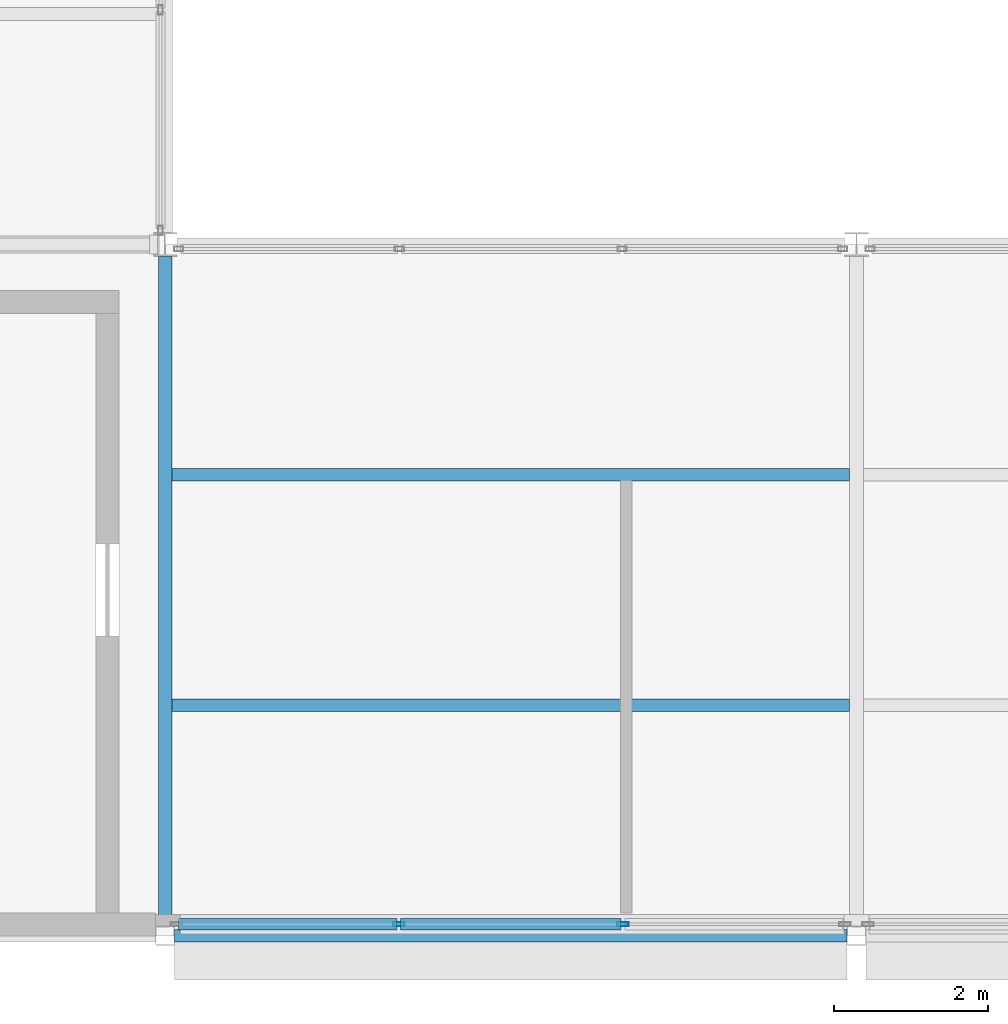
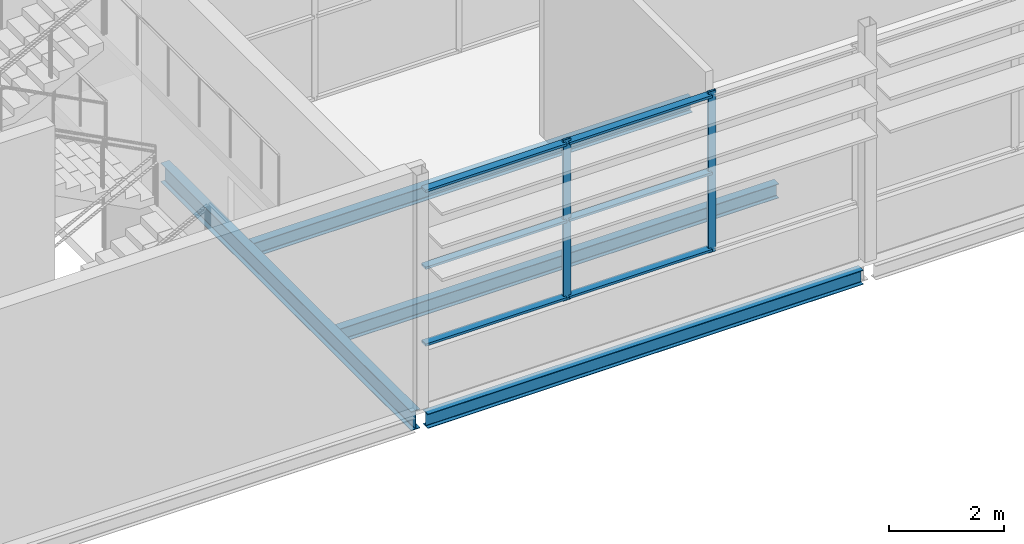
# One storey, part 10 of 94: 8 members, 4 beams, 1 element without a shape of its own.
"""IFC4 building model written with IfcOpenShell, lengths in metres."""

from ifc_helpers import new_model, si_unit, direction, frame, origin, origin_2d, place, context, subcontext, project, spatial, hollow_rectangle, i_section, extrude, material, layer, layer_set, material_profile, profile_set, type_object, element, aggregate, save


model = new_model("IFC4")

# Units and contexts
model_context = context("Model", 3, precision=1e-05, world=origin(), true_north=direction((0.0, 1.0)))
body_context = subcontext(model_context, "Body", "Model", "MODEL_VIEW")
ifc_project = project(units=[si_unit("LENGTHUNIT", "METRE"), si_unit("AREAUNIT", "SQUARE_METRE"), si_unit("VOLUMEUNIT", "CUBIC_METRE"), si_unit("PLANEANGLEUNIT", "RADIAN"), si_unit("MASSUNIT", "GRAM", prefix="KILO")], contexts=[model_context])

# Site, building, storey
site_placement = place(None, origin())
site = spatial("IfcSite", under=ifc_project, at=site_placement, CompositionType="ELEMENT")
building_placement = place(site_placement, origin())
building = spatial("IfcBuilding", under=site, at=building_placement, Name="Shorebreak Coast Museum", CompositionType="ELEMENT")
storey_placement = place(building_placement, frame((0.0, 0.0, 31.0)))
storey = spatial("IfcBuildingStorey", under=building, at=storey_placement, Name="L05", CompositionType="ELEMENT", Elevation=31.0)

# Beams
ifc_material_1 = material(Name="Steel Grade 300", Category="steel")
ifc_material_profile_1 = material_profile(ifc_material_1, i_section(OverallWidth=0.166015625, OverallDepth=0.30712890625, WebThickness=0.006591796875, FlangeThickness=0.01171875, FilletRadius=0.011474609375, at=origin_2d()), Name="310UB46.2")
ifc_profile_set_1 = profile_set([ifc_material_profile_1], Name="Steel Grade 300")
beam_type_1 = type_object("IfcBeamType", Name="Floor girder east-west 310UB46.2", PredefinedType="BEAM", material=ifc_profile_set_1)
beam_1_placement = place(storey_placement, frame((63.125, 54.0, -0.32861328125), z_axis=(1.0, 0.0, 0.0), x_axis=(0.0, 1.0, 0.0)))
element("IfcBeam", 1, at=beam_1_placement, inside=storey, type_object=beam_type_1, Name="Floor girder east-west L05 8G", PredefinedType="BEAM", context=body_context, shape_type="SweptSolid", body=[
    extrude(i_section(OverallWidth=0.166015625, OverallDepth=0.30712890625, WebThickness=0.006591796875, FlangeThickness=0.01171875, FilletRadius=0.011474609375, at=origin_2d()), origin(), (0.0, 0.0, 1.0), 8.75),
])
ifc_material_2 = material(Name="Steel Grade 300", Category="steel")
ifc_material_profile_2 = material_profile(ifc_material_2, i_section(OverallWidth=0.177978515625, OverallDepth=0.406494140625, WebThickness=0.0078125, FlangeThickness=0.0126953125, FilletRadius=0.011474609375, at=origin_2d()), Name="410UB59.7")
ifc_profile_set_2 = profile_set([ifc_material_profile_2], Name="Steel Grade 300")
beam_type_2 = type_object("IfcBeamType", Name="Floor girder north-south 410UB59.7", PredefinedType="BEAM", material=ifc_profile_set_2)
beam_2_placement = place(storey_placement, frame((63.0, 54.125, -0.378173828125), z_axis=(0.0, 1.0, 0.0), x_axis=(-1.0, 0.0, 0.0)))
element("IfcBeam", 2, at=beam_2_placement, inside=storey, type_object=beam_type_2, Name="Floor girder north-south L05 8G", PredefinedType="BEAM", context=body_context, shape_type="SweptSolid", body=[
    extrude(i_section(OverallWidth=0.177978515625, OverallDepth=0.406494140625, WebThickness=0.0078125, FlangeThickness=0.0126953125, FilletRadius=0.011474609375, at=origin_2d()), origin(), (0.0, 0.0, 1.0), 8.7177734375),
])
ifc_material_3 = material(Name="Steel Grade 300", Category="steel")
ifc_material_profile_3 = material_profile(ifc_material_3, i_section(OverallWidth=0.1650390625, OverallDepth=0.303955078125, WebThickness=0.006103515625, FlangeThickness=0.01025390625, FilletRadius=0.011474609375, at=origin_2d()), Name="310UB40.4")
ifc_profile_set_3 = profile_set([ifc_material_profile_3], Name="Steel Grade 300")
beam_type_3 = type_object("IfcBeamType", Name="Floor joist 310UB40.4", PredefinedType="JOIST", material=ifc_profile_set_3)
for number, where, z_axis, x_axis, name in (
    (3, (63.089111328125, 57.0, -0.326904296875), (1.0, 0.0, 0.0), (0.0, 1.0, 0.0), "Floor joist L05 bay 8G at 3000 mm"),
    (4, (63.089111328125, 60.0, -0.326904296875), (1.0, 0.0, 0.0), (0.0, 1.0, 0.0), "Floor joist L05 bay 8G at 6000 mm"),
):
    element("IfcBeam", number, at=place(storey_placement, frame(where, z_axis=z_axis, x_axis=x_axis)), inside=storey, type_object=beam_type_3, Name=name, PredefinedType="JOIST", context=body_context, shape_type="SweptSolid", body=[
        extrude(i_section(OverallWidth=0.1650390625, OverallDepth=0.303955078125, WebThickness=0.006103515625, FlangeThickness=0.01025390625, FilletRadius=0.011474609375, at=origin_2d()), origin(), (0.0, 0.0, 1.0), 8.82177734375),
    ])

# Curtain wall, members
ifc_material_4 = material(Name="Aluminium", Category="aluminium")
ifc_layer = layer(ifc_material_4, 0.14990234375)
ifc_layer_set = layer_set([ifc_layer], Name="Aluminium")
curtain_wall_type = type_object("IfcCurtainWallType", Name="Storefront curtain wall", PredefinedType="NOTDEFINED", material=ifc_layer_set)
curtain_wall_placement = place(storey_placement, origin())
curtain_wall = element("IfcCurtainWall", 5, at=curtain_wall_placement, inside=storey, type_object=curtain_wall_type, Name="Atrium Hall glazing L05 S 13", PredefinedType="NOTDEFINED")
ifc_material_5 = material(Name="Aluminium", Category="aluminium")
ifc_material_profile_4 = material_profile(ifc_material_5, hollow_rectangle(XDim=0.050048828125, YDim=0.14990234375, WallThickness=0.00390625, at=origin_2d()), Name="AL 150x50 RHS")
ifc_profile_set_4 = profile_set([ifc_material_profile_4], Name="Aluminium")
member_type_1 = type_object("IfcMemberType", Name="Storefront mullion 50 x 150", PredefinedType="MULLION", material=ifc_profile_set_4)
member_1_placement = place(storey_placement, frame((66.041748046875, 54.14990234375, 1.10009765625), z_axis=(0.0, 0.0, 1.0), x_axis=(0.0, 1.0, 0.0)))
member_1 = element("IfcMember", 6, at=member_1_placement, type_object=member_type_1, Name="CW5 mullion 2", PredefinedType="MULLION", context=body_context, shape_type="SweptSolid", body=[
    extrude(hollow_rectangle(XDim=0.050048828125, YDim=0.14990234375, WallThickness=0.00390625, at=origin_2d()), origin(), (0.0, 0.0, 1.0), 3.417724609375),
])
member_2_placement = place(storey_placement, frame((68.958251953125, 54.14990234375, 1.10009765625), z_axis=(0.0, 0.0, 1.0), x_axis=(0.0, 1.0, 0.0)))
member_2 = element("IfcMember", 7, at=member_2_placement, type_object=member_type_1, Name="CW5 mullion 3", PredefinedType="MULLION", context=body_context, shape_type="SweptSolid", body=[
    extrude(hollow_rectangle(XDim=0.050048828125, YDim=0.14990234375, WallThickness=0.00390625, at=origin_2d()), origin(), (0.0, 0.0, 1.0), 3.417724609375),
])
ifc_material_6 = material(Name="Aluminium", Category="aluminium")
ifc_material_profile_5 = material_profile(ifc_material_6, hollow_rectangle(XDim=0.14990234375, YDim=0.050048828125, WallThickness=0.00390625, at=origin_2d()), Name="AL 50x150 RHS")
ifc_profile_set_5 = profile_set([ifc_material_profile_5], Name="Aluminium")
member_type_2 = type_object("IfcMemberType", Name="Storefront transom 150 x 50", PredefinedType="USERDEFINED", material=ifc_profile_set_5)
member_3_placement = place(storey_placement, frame((63.175048828125, 54.14990234375, 1.175048828125), z_axis=(1.0, 0.0, 0.0), x_axis=(0.0, 1.0, 0.0)))
member_3 = element("IfcMember", 8, at=member_3_placement, type_object=member_type_2, Name="CW5 transom 1.1", ObjectType="TRANSOM", PredefinedType="USERDEFINED", context=body_context, shape_type="SweptSolid", body=[
    extrude(hollow_rectangle(XDim=0.14990234375, YDim=0.050048828125, WallThickness=0.00390625, at=origin_2d()), origin(), (0.0, 0.0, 1.0), 2.841552734375),
])
member_4_placement = place(storey_placement, frame((63.175048828125, 54.14990234375, 2.808837890625), z_axis=(1.0, 0.0, 0.0), x_axis=(0.0, 1.0, 0.0)))
member_4 = element("IfcMember", 9, at=member_4_placement, type_object=member_type_2, Name="CW5 transom 1.2", ObjectType="TRANSOM", PredefinedType="USERDEFINED", context=body_context, shape_type="SweptSolid", body=[
    extrude(hollow_rectangle(XDim=0.14990234375, YDim=0.050048828125, WallThickness=0.00390625, at=origin_2d()), origin(), (0.0, 0.0, 1.0), 2.841552734375),
])
member_5_placement = place(storey_placement, frame((63.175048828125, 54.14990234375, 4.44287109375), z_axis=(1.0, 0.0, 0.0), x_axis=(0.0, 1.0, 0.0)))
member_5 = element("IfcMember", 10, at=member_5_placement, type_object=member_type_2, Name="CW5 transom 1.3", ObjectType="TRANSOM", PredefinedType="USERDEFINED", context=body_context, shape_type="SweptSolid", body=[
    extrude(hollow_rectangle(XDim=0.14990234375, YDim=0.050048828125, WallThickness=0.00390625, at=origin_2d()), origin(), (0.0, 0.0, 1.0), 2.841552734375),
])
member_6_placement = place(storey_placement, frame((66.066650390625, 54.14990234375, 1.175048828125), z_axis=(1.0, 0.0, 0.0), x_axis=(0.0, 1.0, 0.0)))
member_6 = element("IfcMember", 11, at=member_6_placement, type_object=member_type_2, Name="CW5 transom 2.1", ObjectType="TRANSOM", PredefinedType="USERDEFINED", context=body_context, shape_type="SweptSolid", body=[
    extrude(hollow_rectangle(XDim=0.14990234375, YDim=0.050048828125, WallThickness=0.00390625, at=origin_2d()), origin(), (0.0, 0.0, 1.0), 2.86669921875),
])
member_7_placement = place(storey_placement, frame((66.066650390625, 54.14990234375, 2.808837890625), z_axis=(1.0, 0.0, 0.0), x_axis=(0.0, 1.0, 0.0)))
member_7 = element("IfcMember", 12, at=member_7_placement, type_object=member_type_2, Name="CW5 transom 2.2", ObjectType="TRANSOM", PredefinedType="USERDEFINED", context=body_context, shape_type="SweptSolid", body=[
    extrude(hollow_rectangle(XDim=0.14990234375, YDim=0.050048828125, WallThickness=0.00390625, at=origin_2d()), origin(), (0.0, 0.0, 1.0), 2.86669921875),
])
member_8_placement = place(storey_placement, frame((66.066650390625, 54.14990234375, 4.44287109375), z_axis=(1.0, 0.0, 0.0), x_axis=(0.0, 1.0, 0.0)))
member_8 = element("IfcMember", 13, at=member_8_placement, type_object=member_type_2, Name="CW5 transom 2.3", ObjectType="TRANSOM", PredefinedType="USERDEFINED", context=body_context, shape_type="SweptSolid", body=[
    extrude(hollow_rectangle(XDim=0.14990234375, YDim=0.050048828125, WallThickness=0.00390625, at=origin_2d()), origin(), (0.0, 0.0, 1.0), 2.86669921875),
])
aggregate(curtain_wall, [member_1, member_2, member_3, member_4, member_5, member_6, member_7, member_8])

save(model, "model.ifc")
